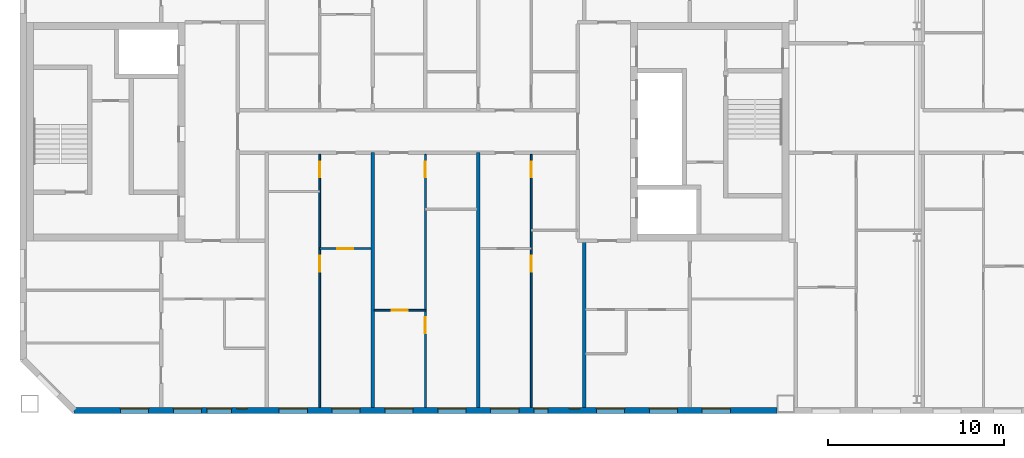
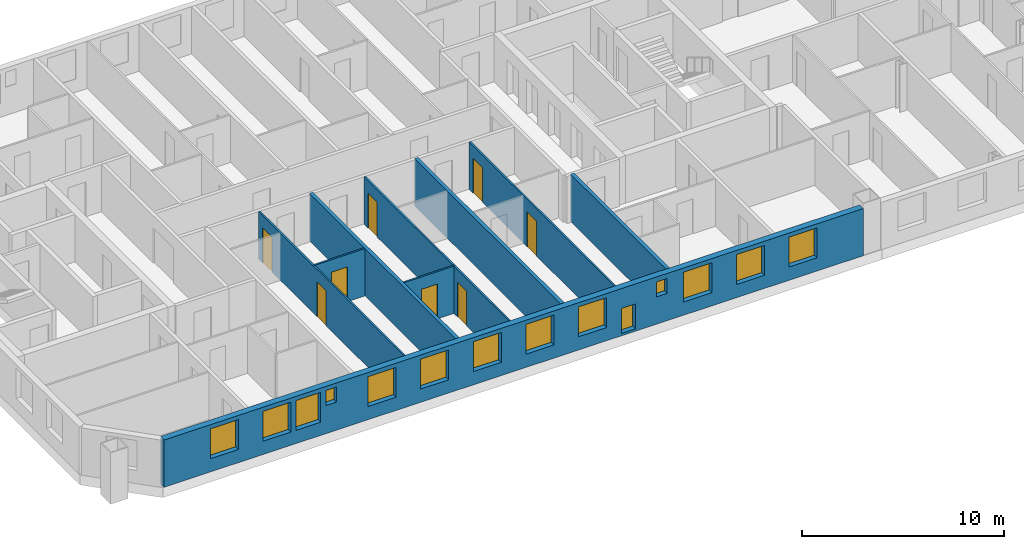
# One storey, part 5 of 19: 14 windows, 9 walls, 8 doors, 22 openings.
"""IFC4 building model written with IfcOpenShell, lengths in metres."""

from ifc_helpers import new_model, si_unit, direction, frame, frame_2d, origin, place, context, subcontext, project, spatial, rectangle, extrude, material, layer, layer_set, type_object, element, fill, save


model = new_model("IFC4")

# Units and contexts
model_context = context("Model", 3, precision=1e-05, world=origin(), true_north=direction((0.0, 1.0)))
body_context = subcontext(model_context, "Body", "Model", "MODEL_VIEW")
ifc_project = project(units=[si_unit("LENGTHUNIT", "METRE"), si_unit("AREAUNIT", "SQUARE_METRE"), si_unit("VOLUMEUNIT", "CUBIC_METRE"), si_unit("PLANEANGLEUNIT", "RADIAN"), si_unit("MASSUNIT", "GRAM", prefix="KILO")], contexts=[model_context])

# Site, building, storey
site_placement = place(None, origin())
site = spatial("IfcSite", under=ifc_project, at=site_placement, CompositionType="ELEMENT")
building_placement = place(site_placement, origin())
building = spatial("IfcBuilding", under=site, at=building_placement, Name="Tuart Gate Housing", CompositionType="ELEMENT")
storey_placement = place(building_placement, frame((0.0, 0.0, 221.39990234375)))
storey = spatial("IfcBuildingStorey", under=building, at=storey_placement, Name="L62", CompositionType="ELEMENT", Elevation=221.39990234375)

# Wall, openings, windows
ifc_material_1 = material(Name="Brick", Category="masonry")
ifc_layer_1 = layer(ifc_material_1, 0.360107421875)
ifc_layer_set_1 = layer_set([ifc_layer_1], Name="Brick pier and spandrel wall 360")
wall_type_1 = type_object("IfcWallType", Name="Brick pier and spandrel wall 360", PredefinedType="STANDARD", material=ifc_layer_set_1)
wall_1_placement = place(storey_placement, frame((35.07470703125, 54.179931640625, 0.0), z_axis=(0.0, 0.0, 1.0), x_axis=(1.0, 0.0, 0.0)))
wall_1 = element("IfcWall", 1, at=wall_1_placement, inside=storey, type_object=wall_type_1, Name="External wall BLK-S L62", PredefinedType="STANDARD", context=body_context, shape_type="SweptSolid", body=[
    extrude(rectangle(XDim=39.875244140625, YDim=0.360107421875, at=frame_2d((19.9375, 0.0))), origin(), (0.0, 0.0, 1.0), 2.85009765625),
])
opening_1_placement = place(wall_1_placement, frame((2.62548828125, 0.0, 0.800048828125)))
opening_1 = element("IfcOpeningElement", 2, at=opening_1_placement, cuts=wall_1, Name="Opening W1", PredefinedType="OPENING", context=body_context, shape_type="SweptSolid", body=[
    extrude(rectangle(XDim=1.60009765625, YDim=1.800048828125, at=frame_2d((0.800048828125, 0.89990234375))), frame((0.0, 0.18994140625, 0.0), z_axis=(0.0, -1.0, 0.0), x_axis=(1.0, 0.0, 0.0)), (0.0, 0.0, 1.0), 0.380126953125),
])
opening_2_placement = place(wall_1_placement, frame((5.62548828125, 0.0, 0.800048828125)))
opening_2 = element("IfcOpeningElement", 3, at=opening_2_placement, cuts=wall_1, Name="Opening W1", PredefinedType="OPENING", context=body_context, shape_type="SweptSolid", body=[
    extrude(rectangle(XDim=1.60009765625, YDim=1.800048828125, at=frame_2d((0.800048828125, 0.89990234375))), frame((0.0, 0.18994140625, 0.0), z_axis=(0.0, -1.0, 0.0), x_axis=(1.0, 0.0, 0.0)), (0.0, 0.0, 1.0), 0.380126953125),
])
opening_3_placement = place(wall_1_placement, frame((7.525390625, 0.0, 0.800048828125)))
opening_3 = element("IfcOpeningElement", 4, at=opening_3_placement, cuts=wall_1, Name="Opening W1A", PredefinedType="OPENING", context=body_context, shape_type="SweptSolid", body=[
    extrude(rectangle(XDim=1.39990234375, YDim=1.800048828125, at=frame_2d((0.699951171875, 0.89990234375))), frame((0.0, 0.18994140625, 0.0), z_axis=(0.0, -1.0, 0.0), x_axis=(1.0, 0.0, 0.0)), (0.0, 0.0, 1.0), 0.380126953125),
])
opening_4_placement = place(wall_1_placement, frame((11.62548828125, 0.0, 0.800048828125)))
opening_4 = element("IfcOpeningElement", 5, at=opening_4_placement, cuts=wall_1, Name="Opening W1", PredefinedType="OPENING", context=body_context, shape_type="SweptSolid", body=[
    extrude(rectangle(XDim=1.60009765625, YDim=1.800048828125, at=frame_2d((0.800048828125, 0.89990234375))), frame((0.0, 0.18994140625, 0.0), z_axis=(0.0, -1.0, 0.0), x_axis=(1.0, 0.0, 0.0)), (0.0, 0.0, 1.0), 0.380126953125),
])
opening_5_placement = place(wall_1_placement, frame((14.62548828125, 0.0, 0.800048828125)))
opening_5 = element("IfcOpeningElement", 6, at=opening_5_placement, cuts=wall_1, Name="Opening W1", PredefinedType="OPENING", context=body_context, shape_type="SweptSolid", body=[
    extrude(rectangle(XDim=1.60009765625, YDim=1.800048828125, at=frame_2d((0.800048828125, 0.89990234375))), frame((0.0, 0.18994140625, 0.0), z_axis=(0.0, -1.0, 0.0), x_axis=(1.0, 0.0, 0.0)), (0.0, 0.0, 1.0), 0.380126953125),
])
opening_6_placement = place(wall_1_placement, frame((17.62548828125, 0.0, 0.800048828125)))
opening_6 = element("IfcOpeningElement", 7, at=opening_6_placement, cuts=wall_1, Name="Opening W1", PredefinedType="OPENING", context=body_context, shape_type="SweptSolid", body=[
    extrude(rectangle(XDim=1.60009765625, YDim=1.800048828125, at=frame_2d((0.800048828125, 0.89990234375))), frame((0.0, 0.18994140625, 0.0), z_axis=(0.0, -1.0, 0.0), x_axis=(1.0, 0.0, 0.0)), (0.0, 0.0, 1.0), 0.380126953125),
])
opening_7_placement = place(wall_1_placement, frame((20.62548828125, 0.0, 0.800048828125)))
opening_7 = element("IfcOpeningElement", 8, at=opening_7_placement, cuts=wall_1, Name="Opening W1", PredefinedType="OPENING", context=body_context, shape_type="SweptSolid", body=[
    extrude(rectangle(XDim=1.60009765625, YDim=1.800048828125, at=frame_2d((0.800048828125, 0.89990234375))), frame((0.0, 0.18994140625, 0.0), z_axis=(0.0, -1.0, 0.0), x_axis=(1.0, 0.0, 0.0)), (0.0, 0.0, 1.0), 0.380126953125),
])
opening_8_placement = place(wall_1_placement, frame((23.62548828125, 0.0, 0.800048828125)))
opening_8 = element("IfcOpeningElement", 9, at=opening_8_placement, cuts=wall_1, Name="Opening W1", PredefinedType="OPENING", context=body_context, shape_type="SweptSolid", body=[
    extrude(rectangle(XDim=1.60009765625, YDim=1.800048828125, at=frame_2d((0.800048828125, 0.89990234375))), frame((0.0, 0.18994140625, 0.0), z_axis=(0.0, -1.0, 0.0), x_axis=(1.0, 0.0, 0.0)), (0.0, 0.0, 1.0), 0.380126953125),
])
opening_9_placement = place(wall_1_placement, frame((26.075439453125, 0.0, 0.14990234375)))
opening_9 = element("IfcOpeningElement", 10, at=opening_9_placement, cuts=wall_1, Name="Opening W1J", PredefinedType="OPENING", context=body_context, shape_type="SweptSolid", body=[
    extrude(rectangle(XDim=0.800048828125, YDim=1.5, at=frame_2d((0.39990234375, 0.75))), frame((0.0, 0.18994140625, 0.0), z_axis=(0.0, -1.0, 0.0), x_axis=(1.0, 0.0, 0.0)), (0.0, 0.0, 1.0), 0.380126953125),
])
opening_10_placement = place(wall_1_placement, frame((29.62548828125, 0.0, 0.800048828125)))
opening_10 = element("IfcOpeningElement", 11, at=opening_10_placement, cuts=wall_1, Name="Opening W1", PredefinedType="OPENING", context=body_context, shape_type="SweptSolid", body=[
    extrude(rectangle(XDim=1.60009765625, YDim=1.800048828125, at=frame_2d((0.800048828125, 0.89990234375))), frame((0.0, 0.18994140625, 0.0), z_axis=(0.0, -1.0, 0.0), x_axis=(1.0, 0.0, 0.0)), (0.0, 0.0, 1.0), 0.380126953125),
])
opening_11_placement = place(wall_1_placement, frame((32.62548828125, 0.0, 0.800048828125)))
opening_11 = element("IfcOpeningElement", 12, at=opening_11_placement, cuts=wall_1, Name="Opening W1", PredefinedType="OPENING", context=body_context, shape_type="SweptSolid", body=[
    extrude(rectangle(XDim=1.60009765625, YDim=1.800048828125, at=frame_2d((0.800048828125, 0.89990234375))), frame((0.0, 0.18994140625, 0.0), z_axis=(0.0, -1.0, 0.0), x_axis=(1.0, 0.0, 0.0)), (0.0, 0.0, 1.0), 0.380126953125),
])
opening_12_placement = place(wall_1_placement, frame((35.62548828125, 0.0, 0.800048828125)))
opening_12 = element("IfcOpeningElement", 13, at=opening_12_placement, cuts=wall_1, Name="Opening W1", PredefinedType="OPENING", context=body_context, shape_type="SweptSolid", body=[
    extrude(rectangle(XDim=1.60009765625, YDim=1.800048828125, at=frame_2d((0.800048828125, 0.89990234375))), frame((0.0, 0.18994140625, 0.0), z_axis=(0.0, -1.0, 0.0), x_axis=(1.0, 0.0, 0.0)), (0.0, 0.0, 1.0), 0.380126953125),
])
opening_13_placement = place(wall_1_placement, frame((9.225341796875, 0.0, 1.699951171875)))
opening_13 = element("IfcOpeningElement", 14, at=opening_13_placement, cuts=wall_1, Name="Opening W1W", PredefinedType="OPENING", context=body_context, shape_type="SweptSolid", body=[
    extrude(rectangle(XDim=0.60009765625, YDim=0.89990234375, at=frame_2d((0.300048828125, 0.449951171875))), frame((0.0, 0.18994140625, 0.0), z_axis=(0.0, -1.0, 0.0), x_axis=(1.0, 0.0, 0.0)), (0.0, 0.0, 1.0), 0.380126953125),
])
opening_14_placement = place(wall_1_placement, frame((28.075439453125, 0.0, 1.64990234375)))
opening_14 = element("IfcOpeningElement", 15, at=opening_14_placement, cuts=wall_1, Name="Opening W1W", PredefinedType="OPENING", context=body_context, shape_type="SweptSolid", body=[
    extrude(rectangle(XDim=0.60009765625, YDim=0.89990234375, at=frame_2d((0.300048828125, 0.449951171875))), frame((0.0, 0.18994140625, 0.0), z_axis=(0.0, -1.0, 0.0), x_axis=(1.0, 0.0, 0.0)), (0.0, 0.0, 1.0), 0.380126953125),
])
ifc_material_2 = material(Name="Aluminium frame with clear glass", Category="aluminium")
window_type_1 = type_object("IfcWindowType", Name="Punched window 1400 x 1800", PartitioningType="SINGLE_PANEL", PredefinedType="WINDOW", material=ifc_material_2)
window_1_placement = place(opening_3_placement, origin())
window_1 = element("IfcWindow", 16, at=window_1_placement, inside=storey, type_object=window_type_1, Name="Window W1A", OverallHeight=1.800048828125, OverallWidth=1.39990234375, PartitioningType="SINGLE_PANEL", PredefinedType="WINDOW", context=body_context, shape_type="SweptSolid", body=[
    extrude(rectangle(XDim=1.39990234375, YDim=1.800048828125, at=frame_2d((0.699951171875, 0.89990234375))), frame((0.0, 0.150146484375, 0.0), z_axis=(0.0, -1.0, 0.0), x_axis=(1.0, 0.0, 0.0)), (0.0, 0.0, 1.0), 0.06005859375),
])
fill(opening_3, window_1)
ifc_material_3 = material(Name="Aluminium frame with clear glass", Category="aluminium")
window_type_2 = type_object("IfcWindowType", Name="Punched window 1600 x 1800", PartitioningType="SINGLE_PANEL", PredefinedType="WINDOW", material=ifc_material_3)
window_2_placement = place(opening_1_placement, origin())
window_2 = element("IfcWindow", 17, at=window_2_placement, inside=storey, type_object=window_type_2, Name="Window W1", OverallHeight=1.800048828125, OverallWidth=1.60009765625, PartitioningType="SINGLE_PANEL", PredefinedType="WINDOW", context=body_context, shape_type="SweptSolid", body=[
    extrude(rectangle(XDim=1.60009765625, YDim=1.800048828125, at=frame_2d((0.800048828125, 0.89990234375))), frame((0.0, 0.150146484375, 0.0), z_axis=(0.0, -1.0, 0.0), x_axis=(1.0, 0.0, 0.0)), (0.0, 0.0, 1.0), 0.06005859375),
])
fill(opening_1, window_2)
window_3_placement = place(opening_2_placement, origin())
window_3 = element("IfcWindow", 18, at=window_3_placement, inside=storey, type_object=window_type_2, Name="Window W1", OverallHeight=1.800048828125, OverallWidth=1.60009765625, PartitioningType="SINGLE_PANEL", PredefinedType="WINDOW", context=body_context, shape_type="SweptSolid", body=[
    extrude(rectangle(XDim=1.60009765625, YDim=1.800048828125, at=frame_2d((0.800048828125, 0.89990234375))), frame((0.0, 0.150146484375, 0.0), z_axis=(0.0, -1.0, 0.0), x_axis=(1.0, 0.0, 0.0)), (0.0, 0.0, 1.0), 0.06005859375),
])
fill(opening_2, window_3)
window_4_placement = place(opening_4_placement, origin())
window_4 = element("IfcWindow", 19, at=window_4_placement, inside=storey, type_object=window_type_2, Name="Window W1", OverallHeight=1.800048828125, OverallWidth=1.60009765625, PartitioningType="SINGLE_PANEL", PredefinedType="WINDOW", context=body_context, shape_type="SweptSolid", body=[
    extrude(rectangle(XDim=1.60009765625, YDim=1.800048828125, at=frame_2d((0.800048828125, 0.89990234375))), frame((0.0, 0.150146484375, 0.0), z_axis=(0.0, -1.0, 0.0), x_axis=(1.0, 0.0, 0.0)), (0.0, 0.0, 1.0), 0.06005859375),
])
fill(opening_4, window_4)
window_5_placement = place(opening_5_placement, origin())
window_5 = element("IfcWindow", 20, at=window_5_placement, inside=storey, type_object=window_type_2, Name="Window W1", OverallHeight=1.800048828125, OverallWidth=1.60009765625, PartitioningType="SINGLE_PANEL", PredefinedType="WINDOW", context=body_context, shape_type="SweptSolid", body=[
    extrude(rectangle(XDim=1.60009765625, YDim=1.800048828125, at=frame_2d((0.800048828125, 0.89990234375))), frame((0.0, 0.150146484375, 0.0), z_axis=(0.0, -1.0, 0.0), x_axis=(1.0, 0.0, 0.0)), (0.0, 0.0, 1.0), 0.06005859375),
])
fill(opening_5, window_5)
window_6_placement = place(opening_6_placement, origin())
window_6 = element("IfcWindow", 21, at=window_6_placement, inside=storey, type_object=window_type_2, Name="Window W1", OverallHeight=1.800048828125, OverallWidth=1.60009765625, PartitioningType="SINGLE_PANEL", PredefinedType="WINDOW", context=body_context, shape_type="SweptSolid", body=[
    extrude(rectangle(XDim=1.60009765625, YDim=1.800048828125, at=frame_2d((0.800048828125, 0.89990234375))), frame((0.0, 0.150146484375, 0.0), z_axis=(0.0, -1.0, 0.0), x_axis=(1.0, 0.0, 0.0)), (0.0, 0.0, 1.0), 0.06005859375),
])
fill(opening_6, window_6)
window_7_placement = place(opening_7_placement, origin())
window_7 = element("IfcWindow", 22, at=window_7_placement, inside=storey, type_object=window_type_2, Name="Window W1", OverallHeight=1.800048828125, OverallWidth=1.60009765625, PartitioningType="SINGLE_PANEL", PredefinedType="WINDOW", context=body_context, shape_type="SweptSolid", body=[
    extrude(rectangle(XDim=1.60009765625, YDim=1.800048828125, at=frame_2d((0.800048828125, 0.89990234375))), frame((0.0, 0.150146484375, 0.0), z_axis=(0.0, -1.0, 0.0), x_axis=(1.0, 0.0, 0.0)), (0.0, 0.0, 1.0), 0.06005859375),
])
fill(opening_7, window_7)
window_8_placement = place(opening_8_placement, origin())
window_8 = element("IfcWindow", 23, at=window_8_placement, inside=storey, type_object=window_type_2, Name="Window W1", OverallHeight=1.800048828125, OverallWidth=1.60009765625, PartitioningType="SINGLE_PANEL", PredefinedType="WINDOW", context=body_context, shape_type="SweptSolid", body=[
    extrude(rectangle(XDim=1.60009765625, YDim=1.800048828125, at=frame_2d((0.800048828125, 0.89990234375))), frame((0.0, 0.150146484375, 0.0), z_axis=(0.0, -1.0, 0.0), x_axis=(1.0, 0.0, 0.0)), (0.0, 0.0, 1.0), 0.06005859375),
])
fill(opening_8, window_8)
window_9_placement = place(opening_10_placement, origin())
window_9 = element("IfcWindow", 24, at=window_9_placement, inside=storey, type_object=window_type_2, Name="Window W1", OverallHeight=1.800048828125, OverallWidth=1.60009765625, PartitioningType="SINGLE_PANEL", PredefinedType="WINDOW", context=body_context, shape_type="SweptSolid", body=[
    extrude(rectangle(XDim=1.60009765625, YDim=1.800048828125, at=frame_2d((0.800048828125, 0.89990234375))), frame((0.0, 0.150146484375, 0.0), z_axis=(0.0, -1.0, 0.0), x_axis=(1.0, 0.0, 0.0)), (0.0, 0.0, 1.0), 0.06005859375),
])
fill(opening_10, window_9)
window_10_placement = place(opening_11_placement, origin())
window_10 = element("IfcWindow", 25, at=window_10_placement, inside=storey, type_object=window_type_2, Name="Window W1", OverallHeight=1.800048828125, OverallWidth=1.60009765625, PartitioningType="SINGLE_PANEL", PredefinedType="WINDOW", context=body_context, shape_type="SweptSolid", body=[
    extrude(rectangle(XDim=1.60009765625, YDim=1.800048828125, at=frame_2d((0.800048828125, 0.89990234375))), frame((0.0, 0.150146484375, 0.0), z_axis=(0.0, -1.0, 0.0), x_axis=(1.0, 0.0, 0.0)), (0.0, 0.0, 1.0), 0.06005859375),
])
fill(opening_11, window_10)
window_11_placement = place(opening_12_placement, origin())
window_11 = element("IfcWindow", 26, at=window_11_placement, inside=storey, type_object=window_type_2, Name="Window W1", OverallHeight=1.800048828125, OverallWidth=1.60009765625, PartitioningType="SINGLE_PANEL", PredefinedType="WINDOW", context=body_context, shape_type="SweptSolid", body=[
    extrude(rectangle(XDim=1.60009765625, YDim=1.800048828125, at=frame_2d((0.800048828125, 0.89990234375))), frame((0.0, 0.150146484375, 0.0), z_axis=(0.0, -1.0, 0.0), x_axis=(1.0, 0.0, 0.0)), (0.0, 0.0, 1.0), 0.06005859375),
])
fill(opening_12, window_11)
ifc_material_4 = material(Name="Aluminium frame with clear glass", Category="aluminium")
window_type_3 = type_object("IfcWindowType", Name="Punched window 600 x 900", PartitioningType="SINGLE_PANEL", PredefinedType="WINDOW", material=ifc_material_4)
window_12_placement = place(opening_13_placement, origin())
window_12 = element("IfcWindow", 27, at=window_12_placement, inside=storey, type_object=window_type_3, Name="Window W1W", OverallHeight=0.89990234375, OverallWidth=0.60009765625, PartitioningType="SINGLE_PANEL", PredefinedType="WINDOW", context=body_context, shape_type="SweptSolid", body=[
    extrude(rectangle(XDim=0.60009765625, YDim=0.89990234375, at=frame_2d((0.300048828125, 0.449951171875))), frame((0.0, 0.150146484375, 0.0), z_axis=(0.0, -1.0, 0.0), x_axis=(1.0, 0.0, 0.0)), (0.0, 0.0, 1.0), 0.06005859375),
])
fill(opening_13, window_12)
window_13_placement = place(opening_14_placement, origin())
window_13 = element("IfcWindow", 28, at=window_13_placement, inside=storey, type_object=window_type_3, Name="Window W1W", OverallHeight=0.89990234375, OverallWidth=0.60009765625, PartitioningType="SINGLE_PANEL", PredefinedType="WINDOW", context=body_context, shape_type="SweptSolid", body=[
    extrude(rectangle(XDim=0.60009765625, YDim=0.89990234375, at=frame_2d((0.300048828125, 0.449951171875))), frame((0.0, 0.150146484375, 0.0), z_axis=(0.0, -1.0, 0.0), x_axis=(1.0, 0.0, 0.0)), (0.0, 0.0, 1.0), 0.06005859375),
])
fill(opening_14, window_13)
ifc_material_5 = material(Name="Aluminium frame with clear glass", Category="aluminium")
window_type_4 = type_object("IfcWindowType", Name="Punched window 800 x 1500", PartitioningType="SINGLE_PANEL", PredefinedType="WINDOW", material=ifc_material_5)
window_14_placement = place(opening_9_placement, origin())
window_14 = element("IfcWindow", 29, at=window_14_placement, inside=storey, type_object=window_type_4, Name="Window W1J", OverallHeight=1.5, OverallWidth=0.800048828125, PartitioningType="SINGLE_PANEL", PredefinedType="WINDOW", context=body_context, shape_type="SweptSolid", body=[
    extrude(rectangle(XDim=0.800048828125, YDim=1.5, at=frame_2d((0.39990234375, 0.75))), frame((0.0, 0.150146484375, 0.0), z_axis=(0.0, -1.0, 0.0), x_axis=(1.0, 0.0, 0.0)), (0.0, 0.0, 1.0), 0.06005859375),
])
fill(opening_9, window_14)

# Wall, opening, door
ifc_material_6 = material(Name="Gypsum board on steel studs", Category="steel")
ifc_layer_2 = layer(ifc_material_6, 0.10009765625)
ifc_layer_set_2 = layer_set([ifc_layer_2], Name="Partition 100")
wall_type_2 = type_object("IfcWallType", Name="Partition 100", PredefinedType="PARTITIONING", material=ifc_layer_set_2)
wall_2_placement = place(storey_placement, frame((52.10009765625, 59.860107421875, 0.0), z_axis=(0.0, 0.0, 1.0), x_axis=(1.0, 0.0, 0.0)))
wall_2 = element("IfcWall", 30, at=wall_2_placement, inside=storey, type_object=wall_type_2, Name="Partition 100", PredefinedType="PARTITIONING", context=body_context, shape_type="SweptSolid", body=[
    extrude(rectangle(XDim=2.89990234375, YDim=0.10009765625, at=frame_2d((1.449951171875, 0.0))), origin(), (0.0, 0.0, 1.0), 2.85009765625),
])
opening_15_placement = place(wall_2_placement, frame((1.0, 0.0, 0.0)))
opening_15 = element("IfcOpeningElement", 31, at=opening_15_placement, cuts=wall_2, Name="Opening D2327", PredefinedType="OPENING", context=body_context, shape_type="SweptSolid", body=[
    extrude(rectangle(XDim=0.89990234375, YDim=2.10009765625, at=frame_2d((0.449951171875, 1.050048828125))), frame((0.0, 0.06005859375, 0.0), z_axis=(0.0, -1.0, 0.0), x_axis=(1.0, 0.0, 0.0)), (0.0, 0.0, 1.0), 0.1201171875),
])
ifc_material_7 = material(Name="Timber door leaf in steel frame", Category="steel")
door_type_1 = type_object("IfcDoorType", Name="Internal door 900 RH", OperationType="SINGLE_SWING_RIGHT", PredefinedType="DOOR", material=ifc_material_7)
door_1_placement = place(opening_15_placement, origin())
door_1 = element("IfcDoor", 32, at=door_1_placement, inside=storey, type_object=door_type_1, Name="Internal door", OperationType="SINGLE_SWING_RIGHT", OverallHeight=2.10009765625, OverallWidth=0.89990234375, PredefinedType="DOOR", context=body_context, shape_type="SweptSolid", body=[
    extrude(rectangle(XDim=0.89990234375, YDim=2.10009765625, at=frame_2d((0.449951171875, 1.050048828125))), frame((0.0, 0.02490234375, 0.0), z_axis=(0.0, -1.0, 0.0), x_axis=(1.0, 0.0, 0.0)), (0.0, 0.0, 1.0), 0.050048828125),
])
fill(opening_15, door_1)

wall_3_placement = place(storey_placement, frame((49.0, 63.360107421875, 0.0), z_axis=(0.0, 0.0, 1.0), x_axis=(1.0, 0.0, 0.0)))
wall_3 = element("IfcWall", 33, at=wall_3_placement, inside=storey, type_object=wall_type_2, Name="Partition 100", PredefinedType="PARTITIONING", context=body_context, shape_type="SweptSolid", body=[
    extrude(rectangle(XDim=2.89990234375, YDim=0.10009765625, at=frame_2d((1.449951171875, 0.0))), origin(), (0.0, 0.0, 1.0), 2.85009765625),
])
opening_16_placement = place(wall_3_placement, frame((1.0, 0.0, 0.0)))
opening_16 = element("IfcOpeningElement", 34, at=opening_16_placement, cuts=wall_3, Name="Opening D2315", PredefinedType="OPENING", context=body_context, shape_type="SweptSolid", body=[
    extrude(rectangle(XDim=0.89990234375, YDim=2.10009765625, at=frame_2d((0.449951171875, 1.050048828125))), frame((0.0, 0.06005859375, 0.0), z_axis=(0.0, -1.0, 0.0), x_axis=(1.0, 0.0, 0.0)), (0.0, 0.0, 1.0), 0.1201171875),
])
ifc_material_8 = material(Name="Timber door leaf in steel frame", Category="steel")
door_type_2 = type_object("IfcDoorType", Name="Internal door 900", OperationType="SINGLE_SWING_LEFT", PredefinedType="DOOR", material=ifc_material_8)
door_2_placement = place(opening_16_placement, origin())
door_2 = element("IfcDoor", 35, at=door_2_placement, inside=storey, type_object=door_type_2, Name="Internal door", OperationType="SINGLE_SWING_LEFT", OverallHeight=2.10009765625, OverallWidth=0.89990234375, PredefinedType="DOOR", context=body_context, shape_type="SweptSolid", body=[
    extrude(rectangle(XDim=0.89990234375, YDim=2.10009765625, at=frame_2d((0.449951171875, 1.050048828125))), frame((0.0, 0.02490234375, 0.0), z_axis=(0.0, -1.0, 0.0), x_axis=(1.0, 0.0, 0.0)), (0.0, 0.0, 1.0), 0.050048828125),
])
fill(opening_16, door_2)

# Wall, openings, doors
wall_4_placement = place(storey_placement, frame((49.0, 54.360107421875, 0.0), z_axis=(0.0, 0.0, 1.0), x_axis=(0.0, 1.0, 0.0)))
wall_4 = element("IfcWall", 36, at=wall_4_placement, inside=storey, type_object=wall_type_2, Name="Partition 100", PredefinedType="PARTITIONING", context=body_context, shape_type="SweptSolid", body=[
    extrude(rectangle(XDim=14.33984375, YDim=0.10009765625, at=frame_2d((7.169921875, 0.0))), origin(), (0.0, 0.0, 1.0), 2.85009765625),
])
opening_17_placement = place(wall_4_placement, frame((7.699951171875, 0.0, 0.0)))
opening_17 = element("IfcOpeningElement", 37, at=opening_17_placement, cuts=wall_4, Name="Opening D2318", PredefinedType="OPENING", context=body_context, shape_type="SweptSolid", body=[
    extrude(rectangle(XDim=0.89990234375, YDim=2.10009765625, at=frame_2d((0.449951171875, 1.050048828125))), frame((0.0, 0.06005859375, 0.0), z_axis=(0.0, -1.0, 0.0), x_axis=(1.0, 0.0, 0.0)), (0.0, 0.0, 1.0), 0.1201171875),
])
opening_18_placement = place(wall_4_placement, frame((13.0400390625, 0.0, 0.0)))
opening_18 = element("IfcOpeningElement", 38, at=opening_18_placement, cuts=wall_4, Name="Opening D2317", PredefinedType="OPENING", context=body_context, shape_type="SweptSolid", body=[
    extrude(rectangle(XDim=0.89990234375, YDim=2.10009765625, at=frame_2d((0.449951171875, 1.050048828125))), frame((0.0, 0.06005859375, 0.0), z_axis=(0.0, -1.0, 0.0), x_axis=(1.0, 0.0, 0.0)), (0.0, 0.0, 1.0), 0.1201171875),
])
ifc_material_9 = material(Name="Timber door leaf in steel frame", Category="steel")
door_type_3 = type_object("IfcDoorType", Name="Bathroom door 900 RH", OperationType="SINGLE_SWING_RIGHT", PredefinedType="DOOR", material=ifc_material_9)
door_3_placement = place(opening_18_placement, origin())
door_3 = element("IfcDoor", 39, at=door_3_placement, inside=storey, type_object=door_type_3, Name="Bathroom door", OperationType="SINGLE_SWING_RIGHT", OverallHeight=2.10009765625, OverallWidth=0.89990234375, PredefinedType="DOOR", context=body_context, shape_type="SweptSolid", body=[
    extrude(rectangle(XDim=0.89990234375, YDim=2.10009765625, at=frame_2d((0.449951171875, 1.050048828125))), frame((0.0, 0.02490234375, 0.0), z_axis=(0.0, -1.0, 0.0), x_axis=(1.0, 0.0, 0.0)), (0.0, 0.0, 1.0), 0.050048828125),
])
fill(opening_18, door_3)
door_4_placement = place(opening_17_placement, origin())
door_4 = element("IfcDoor", 40, at=door_4_placement, inside=storey, type_object=door_type_1, Name="Internal door", OperationType="SINGLE_SWING_RIGHT", OverallHeight=2.10009765625, OverallWidth=0.89990234375, PredefinedType="DOOR", context=body_context, shape_type="SweptSolid", body=[
    extrude(rectangle(XDim=0.89990234375, YDim=2.10009765625, at=frame_2d((0.449951171875, 1.050048828125))), frame((0.0, 0.02490234375, 0.0), z_axis=(0.0, -1.0, 0.0), x_axis=(1.0, 0.0, 0.0)), (0.0, 0.0, 1.0), 0.050048828125),
])
fill(opening_17, door_4)

wall_5_placement = place(storey_placement, frame((55.0, 54.360107421875, 0.0), z_axis=(0.0, 0.0, 1.0), x_axis=(0.0, 1.0, 0.0)))
wall_5 = element("IfcWall", 41, at=wall_5_placement, inside=storey, type_object=wall_type_2, Name="Partition 100", PredefinedType="PARTITIONING", context=body_context, shape_type="SweptSolid", body=[
    extrude(rectangle(XDim=14.33984375, YDim=0.10009765625, at=frame_2d((7.169921875, 0.0))), origin(), (0.0, 0.0, 1.0), 2.85009765625),
])
opening_19_placement = place(wall_5_placement, frame((4.199951171875, 0.0, 0.0)))
opening_19 = element("IfcOpeningElement", 42, at=opening_19_placement, cuts=wall_5, Name="Opening D2320", PredefinedType="OPENING", context=body_context, shape_type="SweptSolid", body=[
    extrude(rectangle(XDim=0.89990234375, YDim=2.10009765625, at=frame_2d((0.449951171875, 1.050048828125))), frame((0.0, 0.06005859375, 0.0), z_axis=(0.0, -1.0, 0.0), x_axis=(1.0, 0.0, 0.0)), (0.0, 0.0, 1.0), 0.1201171875),
])
opening_20_placement = place(wall_5_placement, frame((13.0400390625, 0.0, 0.0)))
opening_20 = element("IfcOpeningElement", 43, at=opening_20_placement, cuts=wall_5, Name="Opening D2319", PredefinedType="OPENING", context=body_context, shape_type="SweptSolid", body=[
    extrude(rectangle(XDim=0.89990234375, YDim=2.10009765625, at=frame_2d((0.449951171875, 1.050048828125))), frame((0.0, 0.06005859375, 0.0), z_axis=(0.0, -1.0, 0.0), x_axis=(1.0, 0.0, 0.0)), (0.0, 0.0, 1.0), 0.1201171875),
])
ifc_material_10 = material(Name="Timber door leaf in steel frame", Category="steel")
door_type_4 = type_object("IfcDoorType", Name="Bathroom door 900", OperationType="SINGLE_SWING_LEFT", PredefinedType="DOOR", material=ifc_material_10)
door_5_placement = place(opening_20_placement, frame((0.89990234375, 0.0, 0.0), z_axis=(0.0, 0.0, 1.0), x_axis=(-1.0, 0.0, 0.0)))
door_5 = element("IfcDoor", 44, at=door_5_placement, inside=storey, type_object=door_type_4, Name="Bathroom door", OperationType="SINGLE_SWING_LEFT", OverallHeight=2.10009765625, OverallWidth=0.89990234375, PredefinedType="DOOR", context=body_context, shape_type="SweptSolid", body=[
    extrude(rectangle(XDim=0.89990234375, YDim=2.10009765625, at=frame_2d((0.449951171875, 1.050048828125))), frame((0.0, 0.025146484375, 0.0), z_axis=(0.0, -1.0, 0.0), x_axis=(1.0, 0.0, 0.0)), (0.0, 0.0, 1.0), 0.050048828125),
])
fill(opening_20, door_5)
door_6_placement = place(opening_19_placement, frame((0.89990234375, 0.0, 0.0), z_axis=(0.0, 0.0, 1.0), x_axis=(-1.0, 0.0, 0.0)))
door_6 = element("IfcDoor", 45, at=door_6_placement, inside=storey, type_object=door_type_1, Name="Internal door", OperationType="SINGLE_SWING_RIGHT", OverallHeight=2.10009765625, OverallWidth=0.89990234375, PredefinedType="DOOR", context=body_context, shape_type="SweptSolid", body=[
    extrude(rectangle(XDim=0.89990234375, YDim=2.10009765625, at=frame_2d((0.449951171875, 1.050048828125))), frame((0.0, 0.025146484375, 0.0), z_axis=(0.0, -1.0, 0.0), x_axis=(1.0, 0.0, 0.0)), (0.0, 0.0, 1.0), 0.050048828125),
])
fill(opening_19, door_6)

wall_6_placement = place(storey_placement, frame((61.0, 54.360107421875, 0.0), z_axis=(0.0, 0.0, 1.0), x_axis=(0.0, 1.0, 0.0)))
wall_6 = element("IfcWall", 46, at=wall_6_placement, inside=storey, type_object=wall_type_2, Name="Partition 100", PredefinedType="PARTITIONING", context=body_context, shape_type="SweptSolid", body=[
    extrude(rectangle(XDim=14.33984375, YDim=0.10009765625, at=frame_2d((7.169921875, 0.0))), origin(), (0.0, 0.0, 1.0), 2.85009765625),
])
opening_21_placement = place(wall_6_placement, frame((7.699951171875, 0.0, 0.0)))
opening_21 = element("IfcOpeningElement", 47, at=opening_21_placement, cuts=wall_6, Name="Opening D2322", PredefinedType="OPENING", context=body_context, shape_type="SweptSolid", body=[
    extrude(rectangle(XDim=0.89990234375, YDim=2.10009765625, at=frame_2d((0.449951171875, 1.050048828125))), frame((0.0, 0.06005859375, 0.0), z_axis=(0.0, -1.0, 0.0), x_axis=(1.0, 0.0, 0.0)), (0.0, 0.0, 1.0), 0.1201171875),
])
opening_22_placement = place(wall_6_placement, frame((13.0400390625, 0.0, 0.0)))
opening_22 = element("IfcOpeningElement", 48, at=opening_22_placement, cuts=wall_6, Name="Opening D2321", PredefinedType="OPENING", context=body_context, shape_type="SweptSolid", body=[
    extrude(rectangle(XDim=0.89990234375, YDim=2.10009765625, at=frame_2d((0.449951171875, 1.050048828125))), frame((0.0, 0.06005859375, 0.0), z_axis=(0.0, -1.0, 0.0), x_axis=(1.0, 0.0, 0.0)), (0.0, 0.0, 1.0), 0.1201171875),
])
door_7_placement = place(opening_22_placement, frame((0.89990234375, 0.0, 0.0), z_axis=(0.0, 0.0, 1.0), x_axis=(-1.0, 0.0, 0.0)))
door_7 = element("IfcDoor", 49, at=door_7_placement, inside=storey, type_object=door_type_4, Name="Bathroom door", OperationType="SINGLE_SWING_LEFT", OverallHeight=2.10009765625, OverallWidth=0.89990234375, PredefinedType="DOOR", context=body_context, shape_type="SweptSolid", body=[
    extrude(rectangle(XDim=0.89990234375, YDim=2.10009765625, at=frame_2d((0.449951171875, 1.050048828125))), frame((0.0, 0.025146484375, 0.0), z_axis=(0.0, -1.0, 0.0), x_axis=(1.0, 0.0, 0.0)), (0.0, 0.0, 1.0), 0.050048828125),
])
fill(opening_22, door_7)
door_8_placement = place(opening_21_placement, frame((0.89990234375, 0.0, 0.0), z_axis=(0.0, 0.0, 1.0), x_axis=(-1.0, 0.0, 0.0)))
door_8 = element("IfcDoor", 50, at=door_8_placement, inside=storey, type_object=door_type_2, Name="Internal door", OperationType="SINGLE_SWING_LEFT", OverallHeight=2.10009765625, OverallWidth=0.89990234375, PredefinedType="DOOR", context=body_context, shape_type="SweptSolid", body=[
    extrude(rectangle(XDim=0.89990234375, YDim=2.10009765625, at=frame_2d((0.449951171875, 1.050048828125))), frame((0.0, 0.025146484375, 0.0), z_axis=(0.0, -1.0, 0.0), x_axis=(1.0, 0.0, 0.0)), (0.0, 0.0, 1.0), 0.050048828125),
])
fill(opening_21, door_8)

# Walls
ifc_material_11 = material(Name="Concrete C40", Category="concrete")
ifc_layer_3 = layer(ifc_material_11, 0.199951171875)
ifc_layer_set_3 = layer_set([ifc_layer_3], Name="Party wall concrete C40 200")
wall_type_3 = type_object("IfcWallType", Name="Party wall concrete C40 200", PredefinedType="SOLIDWALL", material=ifc_layer_set_3)
for number, where, z_axis, x_axis, name in (
    (51, (52.0, 54.360107421875, 0.0), (0.0, 0.0, 1.0), (0.0, 1.0, 0.0), "Party wall concrete C40 200"),
    (52, (58.0, 54.360107421875, 0.0), (0.0, 0.0, 1.0), (0.0, 1.0, 0.0), "Party wall concrete C40 200"),
):
    element("IfcWall", number, at=place(storey_placement, frame(where, z_axis=z_axis, x_axis=x_axis)), inside=storey, type_object=wall_type_3, Name=name, PredefinedType="SOLIDWALL", context=body_context, shape_type="SweptSolid", body=[
        extrude(rectangle(XDim=14.43994140625, YDim=0.199951171875, at=frame_2d((7.219970703125, 0.0))), origin(), (0.0, 0.0, 1.0), 2.85009765625),
    ])
wall_7_placement = place(storey_placement, frame((64.0, 54.360107421875, 0.0), z_axis=(0.0, 0.0, 1.0), x_axis=(0.0, 1.0, 0.0)))
element("IfcWall", 53, at=wall_7_placement, inside=storey, type_object=wall_type_3, Name="Party wall concrete C40 200", PredefinedType="SOLIDWALL", context=body_context, shape_type="SweptSolid", body=[
    extrude(rectangle(XDim=9.43994140625, YDim=0.199951171875, at=frame_2d((4.719970703125, 0.0))), origin(), (0.0, 0.0, 1.0), 2.85009765625),
])

save(model, "model.ifc")
